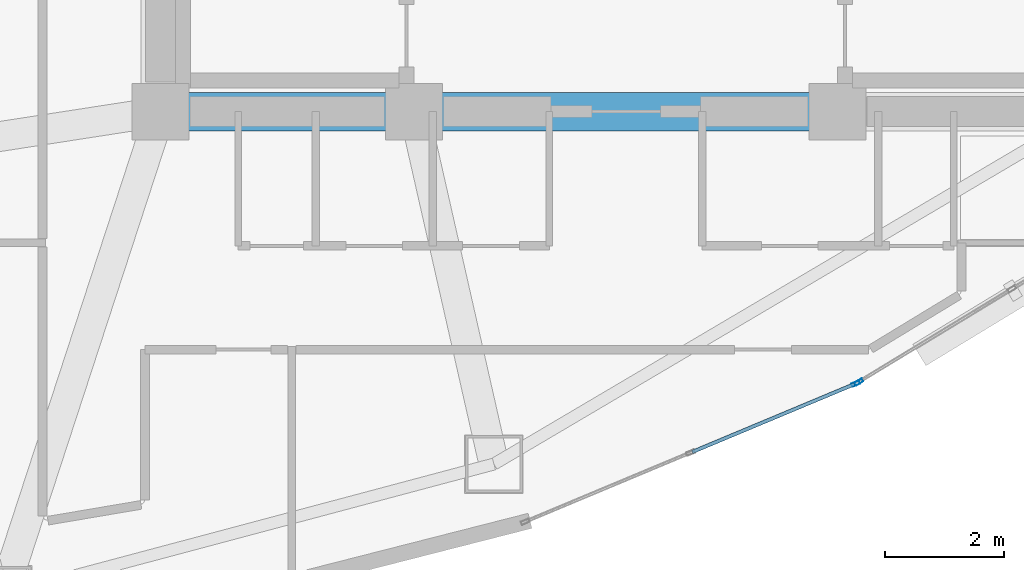
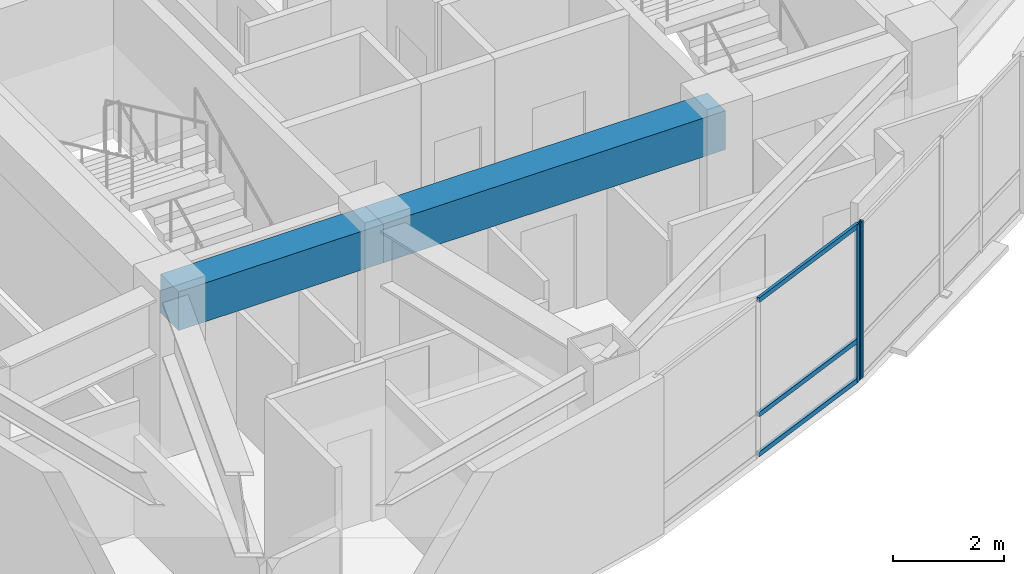
# One storey, part 4 of 15: 5 members, 2 beams, 2 elements without a shape of their own.
"""IFC4 building model written with IfcOpenShell, lengths in metres."""

from ifc_helpers import new_model, si_unit, direction, frame, origin, origin_2d, place, context, subcontext, project, spatial, rectangle, hollow_rectangle, extrude, material, layer, layer_set, material_profile, profile_set, type_object, element, aggregate, save


model = new_model("IFC4")

# Units and contexts
model_context = context("Model", 3, precision=1e-05, world=origin(), true_north=direction((0.0, 1.0)))
body_context = subcontext(model_context, "Body", "Model", "MODEL_VIEW")
ifc_project = project(units=[si_unit("LENGTHUNIT", "METRE"), si_unit("AREAUNIT", "SQUARE_METRE"), si_unit("VOLUMEUNIT", "CUBIC_METRE"), si_unit("PLANEANGLEUNIT", "RADIAN"), si_unit("MASSUNIT", "GRAM", prefix="KILO")], contexts=[model_context])

# Site, building, storey
site_placement = place(None, origin())
site = spatial("IfcSite", under=ifc_project, at=site_placement, CompositionType="ELEMENT")
building_placement = place(site_placement, origin())
building = spatial("IfcBuilding", under=site, at=building_placement, Name="Menara Vayukalpa", CompositionType="ELEMENT")
storey_placement = place(building_placement, frame((0.0, 0.0, 230.699951171875)))
storey = spatial("IfcBuildingStorey", under=building, at=storey_placement, Name="L58", CompositionType="ELEMENT", Elevation=230.699951171875)

# Beams
ifc_material_1 = material(Name="Concrete C60/75", Category="concrete")
ifc_material_profile_1 = material_profile(ifc_material_1, rectangle(XDim=0.64990234375, YDim=0.85009765625, at=origin_2d()), Name="RC 650x850")
ifc_profile_set_1 = profile_set([ifc_material_profile_1], Name="Concrete C60/75")
beam_type = type_object("IfcBeamType", Name="BM-CB1", PredefinedType="BEAM", material=ifc_profile_set_1)
beam_1_placement = place(storey_placement, frame((17.800048828125, 17.199951171875, 3.01513671875), z_axis=(1.0, 0.0, 0.0), x_axis=(0.0, 1.0, 0.0)))
element("IfcBeam", 1, at=beam_1_placement, inside=storey, type_object=beam_type, Name="L58 Core Tie Beam CBR1", PredefinedType="BEAM", context=body_context, shape_type="SweptSolid", body=[
    extrude(rectangle(XDim=0.64990234375, YDim=0.85009765625, at=origin_2d()), origin(), (0.0, 0.0, 1.0), 4.25),
])
beam_2_placement = place(storey_placement, frame((22.050048828125, 17.199951171875, 3.01513671875), z_axis=(1.0, 0.0, 0.0), x_axis=(0.0, 1.0, 0.0)))
element("IfcBeam", 2, at=beam_2_placement, inside=storey, type_object=beam_type, Name="L58 Core Tie Beam CBR2", PredefinedType="BEAM", context=body_context, shape_type="SweptSolid", body=[
    extrude(rectangle(XDim=0.64990234375, YDim=0.85009765625, at=origin_2d()), origin(), (0.0, 0.0, 1.0), 7.099853515625),
])

# Curtain wall, member
ifc_material_2 = material(Name="Anodised Terracotta Aluminium Alloy 6063-T6", Category="masonry")
ifc_layer = layer(ifc_material_2, 0.139892578125)
ifc_layer_set = layer_set([ifc_layer], Name="Anodised Terracotta Aluminium Alloy 6063-T6")
curtain_wall_type = type_object("IfcCurtainWallType", Name="CW-CW5", PredefinedType="USERDEFINED", material=ifc_layer_set)
curtain_wall_1_placement = place(storey_placement, origin())
curtain_wall_1 = element("IfcCurtainWall", 3, at=curtain_wall_1_placement, inside=storey, type_object=curtain_wall_type, Name="L58 High Rise Tapered Curtain Wall CW5 16", ObjectType="UNITISED", PredefinedType="USERDEFINED")
ifc_material_3 = material(Name="Anodised Terracotta Aluminium Alloy 6063-T6", Category="masonry")
ifc_material_profile_2 = material_profile(ifc_material_3, hollow_rectangle(XDim=0.06005859375, YDim=0.139892578125, WallThickness=0.00341796875, at=origin_2d()), Name="ALU 60x140x3.5")
ifc_profile_set_2 = profile_set([ifc_material_profile_2], Name="Anodised Terracotta Aluminium Alloy 6063-T6")
member_type_1 = type_object("IfcMemberType", Name="CWM-CW5", PredefinedType="MULLION", material=ifc_profile_set_2)
member_1_placement = place(storey_placement, frame((29.4560546875, 12.640380859375, 0.0), z_axis=(0.0, 0.0, 1.0), x_axis=(-0.385902834406, 0.922539431351, 0.0)))
member_1 = element("IfcMember", 4, at=member_1_placement, type_object=member_type_1, Name="CW5 mullion 3", PredefinedType="MULLION", context=body_context, shape_type="SweptSolid", body=[
    extrude(hollow_rectangle(XDim=0.06005859375, YDim=0.139892578125, WallThickness=0.00341796875, at=origin_2d()), origin(), (0.0, 0.0, 1.0), 3.43994140625),
])

curtain_wall_2_placement = place(storey_placement, origin())
curtain_wall_2 = element("IfcCurtainWall", 5, at=curtain_wall_2_placement, inside=storey, type_object=curtain_wall_type, Name="L58 High Rise Tapered Curtain Wall CW5 17", ObjectType="UNITISED", PredefinedType="USERDEFINED")
member_2_placement = place(storey_placement, frame((29.509521484375, 12.66748046875, 0.0), z_axis=(0.0, 0.0, 1.0), x_axis=(-0.519179911779, 0.854664974832, 0.0)))
member_2 = element("IfcMember", 6, at=member_2_placement, type_object=member_type_1, Name="CW5 mullion 1", PredefinedType="MULLION", context=body_context, shape_type="SweptSolid", body=[
    extrude(hollow_rectangle(XDim=0.06005859375, YDim=0.139892578125, WallThickness=0.00341796875, at=origin_2d()), origin(), (0.0, 0.0, 1.0), 3.43994140625),
])
aggregate(curtain_wall_2, [member_2])

# Member
ifc_material_4 = material(Name="Anodised Terracotta Aluminium Alloy 6063-T6", Category="masonry")
ifc_material_profile_3 = material_profile(ifc_material_4, hollow_rectangle(XDim=0.06005859375, YDim=0.10498046875, WallThickness=0.0029296875, at=origin_2d()), Name="ALU 60x105x3")
ifc_profile_set_3 = profile_set([ifc_material_profile_3], Name="Anodised Terracotta Aluminium Alloy 6063-T6")
member_type_2 = type_object("IfcMemberType", Name="CWT-CW5", PredefinedType="USERDEFINED", material=ifc_profile_set_3)
member_3_placement = place(storey_placement, frame((26.7138671875, 11.4931640625, 0.030029296875), z_axis=(0.922543360613, 0.385893440976, 0.0), x_axis=(-0.385893440976, 0.922543360613, 0.0)))
member_3 = element("IfcMember", 7, at=member_3_placement, type_object=member_type_2, Name="CW5 transom 2.1", ObjectType="TRANSOM", PredefinedType="USERDEFINED", context=body_context, shape_type="SweptSolid", body=[
    extrude(hollow_rectangle(XDim=0.06005859375, YDim=0.10498046875, WallThickness=0.0029296875, at=origin_2d()), origin(), (0.0, 0.0, 1.0), 2.942626953125),
])

member_4_placement = place(storey_placement, frame((26.7138671875, 11.4931640625, 0.900146484375), z_axis=(0.922543360613, 0.385893440976, 0.0), x_axis=(-0.385893440976, 0.922543360613, 0.0)))
member_4 = element("IfcMember", 8, at=member_4_placement, type_object=member_type_2, Name="CW5 transom 2.2", ObjectType="TRANSOM", PredefinedType="USERDEFINED", context=body_context, shape_type="SweptSolid", body=[
    extrude(hollow_rectangle(XDim=0.06005859375, YDim=0.10498046875, WallThickness=0.0029296875, at=origin_2d()), origin(), (0.0, 0.0, 1.0), 2.942626953125),
])

member_5_placement = place(storey_placement, frame((26.7138671875, 11.4931640625, 3.41015625), z_axis=(0.922543360613, 0.385893440976, 0.0), x_axis=(-0.385893440976, 0.922543360613, 0.0)))
member_5 = element("IfcMember", 9, at=member_5_placement, type_object=member_type_2, Name="CW5 transom 2.3", ObjectType="TRANSOM", PredefinedType="USERDEFINED", context=body_context, shape_type="SweptSolid", body=[
    extrude(hollow_rectangle(XDim=0.06005859375, YDim=0.10498046875, WallThickness=0.0029296875, at=origin_2d()), origin(), (0.0, 0.0, 1.0), 2.942626953125),
])

aggregate(curtain_wall_1, [member_1, member_3, member_4, member_5])

save(model, "model.ifc")
